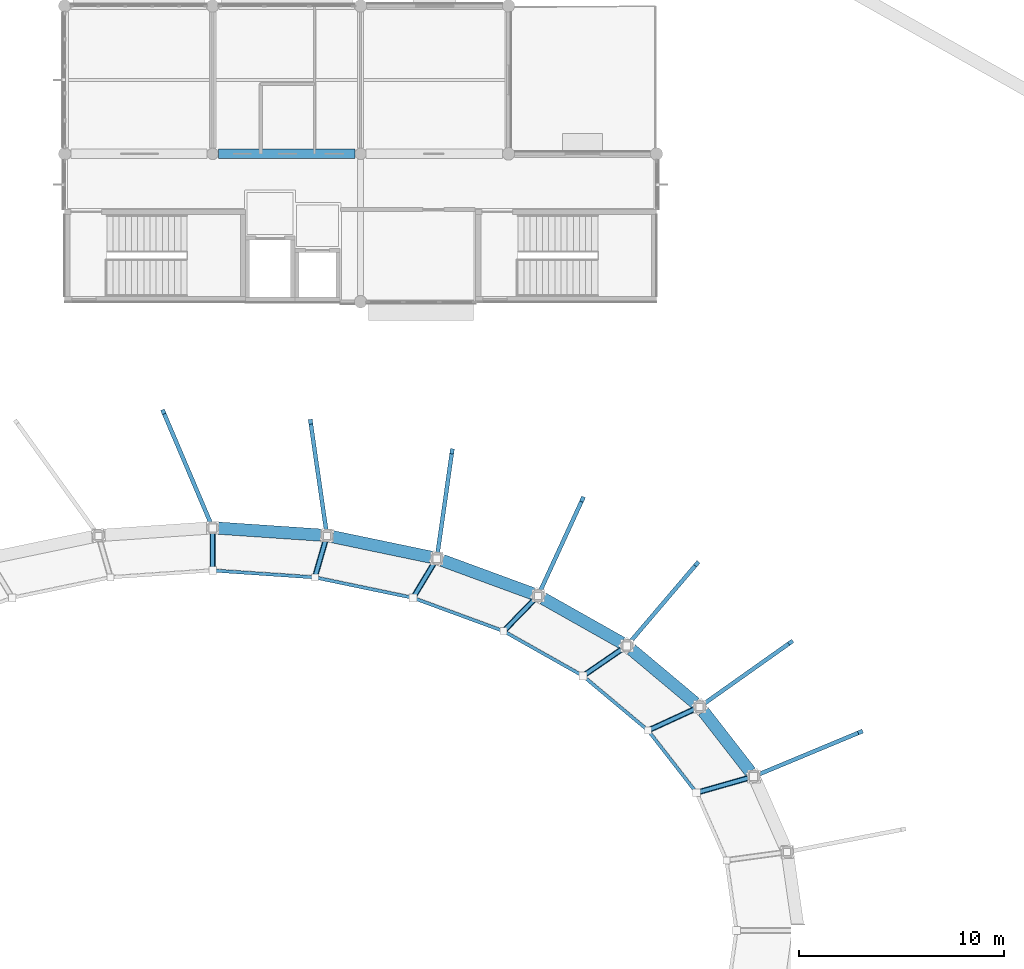
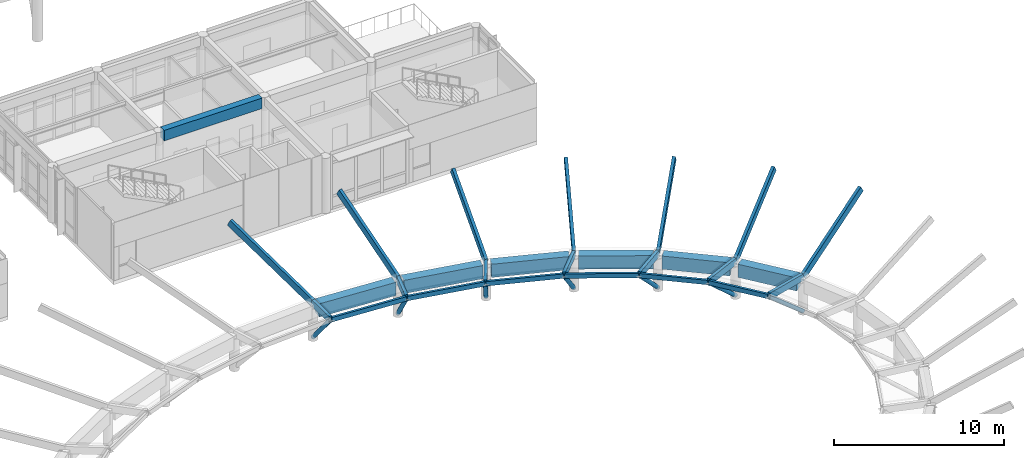
# One storey, part 9 of 37: 27 members, 7 beams.
"""IFC4 building model written with IfcOpenShell, lengths in metres."""

from ifc_helpers import new_model, si_unit, direction, frame, origin, origin_2d, place, context, subcontext, project, spatial, rectangle, hollow_circle, extrude, material, material_profile, profile_set, type_object, element, save


model = new_model("IFC4")

# Units and contexts
model_context = context("Model", 3, precision=1e-05, world=origin(), true_north=direction((0.0, 1.0)))
body_context = subcontext(model_context, "Body", "Model", "MODEL_VIEW")
ifc_project = project(units=[si_unit("LENGTHUNIT", "METRE"), si_unit("AREAUNIT", "SQUARE_METRE"), si_unit("VOLUMEUNIT", "CUBIC_METRE"), si_unit("PLANEANGLEUNIT", "RADIAN"), si_unit("MASSUNIT", "GRAM", prefix="KILO")], contexts=[model_context])

# Site, building, storey
site_placement = place(None, origin())
site = spatial("IfcSite", under=ifc_project, at=site_placement, CompositionType="ELEMENT")
building_placement = place(site_placement, origin())
building = spatial("IfcBuilding", under=site, at=building_placement, Name="Namkhue Oval Health Centre", CompositionType="ELEMENT")
storey_placement = place(building_placement, frame((0.0, 0.0, 22.199951171875)))
storey = spatial("IfcBuildingStorey", under=building, at=storey_placement, Name="L05", CompositionType="ELEMENT", Elevation=22.199951171875)

# Members
ifc_material_1 = material(Name="Structural steel EN 10025-2 S355JR (TCVN 5575:2024)", Category="steel")
ifc_material_profile_1 = material_profile(ifc_material_1, hollow_circle(Radius=0.136474609375, WallThickness=0.012451171875, at=origin_2d()), Name="CHS 273x12.5")
ifc_profile_set_1 = profile_set([ifc_material_profile_1], Name="Structural steel EN 10025-2 S355JR (TCVN 5575:2024)")
member_type_1 = type_object("IfcMemberType", Name="CANOPY STRUT CHS 273", PredefinedType="STRUT", material=ifc_profile_set_1)
member_1_placement = place(storey_placement, frame((127.127197265625, 66.897216796875, 0.113037109375), z_axis=(-0.726469701976, -0.206888156519, 0.655316002248), x_axis=(0.273895320503, -0.961759509132, 0.0)))
element("IfcMember", 1, at=member_1_placement, inside=storey, type_object=member_type_1, Name="Oval Court Oculus Canopy Strut 3", PredefinedType="STRUT", context=body_context, shape_type="SweptSolid", body=[
    extrude(hollow_circle(Radius=0.136474609375, WallThickness=0.012451171875, at=origin_2d()), origin(), (0.0, 0.0, 1.0), 3.82568359375),
])
member_2_placement = place(storey_placement, frame((124.493408203125, 70.2841796875, 0.113525390625), z_axis=(-0.671831943496, -0.308633456276, 0.673340351803), x_axis=(0.417448702354, -0.908700490207, 0.0)))
element("IfcMember", 2, at=member_2_placement, inside=storey, type_object=member_type_1, Name="Oval Court Oculus Canopy Strut 4", PredefinedType="STRUT", context=body_context, shape_type="SweptSolid", body=[
    extrude(hollow_circle(Radius=0.136474609375, WallThickness=0.012451171875, at=origin_2d()), origin(), (0.0, 0.0, 1.0), 3.72265625),
])
member_3_placement = place(storey_placement, frame((120.94921875, 73.252685546875, 0.114013671875), z_axis=(-0.591133806128, -0.406463876567, 0.696669175649), x_axis=(0.56658503207, -0.824003277563, 0.0)))
element("IfcMember", 3, at=member_3_placement, inside=storey, type_object=member_type_1, Name="Oval Court Oculus Canopy Strut 5", PredefinedType="STRUT", context=body_context, shape_type="SweptSolid", body=[
    extrude(hollow_circle(Radius=0.136474609375, WallThickness=0.012451171875, at=origin_2d()), origin(), (0.0, 0.0, 1.0), 3.59716796875),
])
member_4_placement = place(storey_placement, frame((116.630859375, 75.688720703125, 0.114501953125), z_axis=(-0.481738042184, -0.495749423416, 0.722607063275), x_axis=(0.717168831651, -0.696899466859, 0.0)))
element("IfcMember", 4, at=member_4_placement, inside=storey, type_object=member_type_1, Name="Oval Court Oculus Canopy Strut 6", PredefinedType="STRUT", context=body_context, shape_type="SweptSolid", body=[
    extrude(hollow_circle(Radius=0.136474609375, WallThickness=0.012451171875, at=origin_2d()), origin(), (0.0, 0.0, 1.0), 3.467529296875),
])
member_5_placement = place(storey_placement, frame((111.7041015625, 77.49853515625, 0.114990234375), z_axis=(-0.343057087119, -0.569407784033, 0.747051946293), x_axis=(0.856554142156, -0.516057168883, 0.0)))
element("IfcMember", 5, at=member_5_placement, inside=storey, type_object=member_type_1, Name="Oval Court Oculus Canopy Strut 7", PredefinedType="STRUT", context=body_context, shape_type="SweptSolid", body=[
    extrude(hollow_circle(Radius=0.136474609375, WallThickness=0.012451171875, at=origin_2d()), origin(), (0.0, 0.0, 1.0), 3.353271484375),
])
member_6_placement = place(storey_placement, frame((106.35888671875, 78.613037109375, 0.115234375), z_axis=(-0.179054202465, -0.618862609851, 0.764819366065), x_axis=(0.960601666502, -0.277928836779, 0.0)))
element("IfcMember", 6, at=member_6_placement, inside=storey, type_object=member_type_1, Name="Oval Court Oculus Canopy Strut 8", PredefinedType="STRUT", context=body_context, shape_type="SweptSolid", body=[
    extrude(hollow_circle(Radius=0.136474609375, WallThickness=0.012451171875, at=origin_2d()), origin(), (0.0, 0.0, 1.0), 3.275146484375),
])
member_7_placement = place(storey_placement, frame((100.800048828125, 78.9892578125, 0.115478515625), z_axis=(0.0, -0.636352754336, 0.771398192926), x_axis=(1.0, 0.0, 0.0)))
element("IfcMember", 7, at=member_7_placement, inside=storey, type_object=member_type_1, Name="Oval Court Oculus Canopy Strut 9", PredefinedType="STRUT", context=body_context, shape_type="SweptSolid", body=[
    extrude(hollow_circle(Radius=0.136474609375, WallThickness=0.012451171875, at=origin_2d()), origin(), (0.0, 0.0, 1.0), 3.246826171875),
])
ifc_material_2 = material(Name="Glulam timber GL28h", Category="wood")
ifc_material_profile_2 = material_profile(ifc_material_2, rectangle(XDim=0.199951171875, YDim=0.47998046875, at=origin_2d()), Name="GL28h 200x480")
ifc_profile_set_2 = profile_set([ifc_material_profile_2], Name="Glulam timber GL28h")
member_type_2 = type_object("IfcMemberType", Name="GRIDSHELL ARCH RIB GL28H 200X480", PredefinedType="USERDEFINED", material=ifc_profile_set_2)
member_8_placement = place(storey_placement, frame((132.324951171875, 69.060791015625, 5.800048828125), z_axis=(-0.80200804084, -0.334122797853, -0.495121256243), x_axis=(0.38456907546, -0.923096217195, 0.0)))
element("IfcMember", 8, at=member_8_placement, inside=storey, type_object=member_type_2, Name="Gridshell Glulam Arch Rib K5-3", ObjectType="ARCH_SEGMENT", PredefinedType="USERDEFINED", context=body_context, shape_type="SweptSolid", body=[
    extrude(rectangle(XDim=0.199951171875, YDim=0.47998046875, at=origin_2d()), origin(), (0.0, 0.0, 1.0), 6.462890625),
])
member_9_placement = place(storey_placement, frame((127.1416015625, 66.9013671875, 2.60009765625), z_axis=(-0.961663782937, -0.273884669107, 0.013782474911), x_axis=(0.273910685916, -0.96175513315, 0.0)))
element("IfcMember", 9, at=member_9_placement, inside=storey, type_object=member_type_2, Name="Gridshell Glulam Arch Rib K6-3", ObjectType="ARCH_SEGMENT", PredefinedType="USERDEFINED", context=body_context, shape_type="SweptSolid", body=[
    extrude(rectangle(XDim=0.199951171875, YDim=0.47998046875, at=origin_2d()), origin(), (0.0, 0.0, 1.0), 2.905029296875),
])
member_10_placement = place(storey_placement, frame((128.931640625, 73.42529296875, 5.800048828125), z_axis=(-0.702731871339, -0.497891191782, -0.508204956833), x_axis=(0.578112270932, -0.815957230618, 0.0)))
element("IfcMember", 10, at=member_10_placement, inside=storey, type_object=member_type_2, Name="Gridshell Glulam Arch Rib K5-4", ObjectType="ARCH_SEGMENT", PredefinedType="USERDEFINED", context=body_context, shape_type="SweptSolid", body=[
    extrude(rectangle(XDim=0.199951171875, YDim=0.47998046875, at=origin_2d()), origin(), (0.0, 0.0, 1.0), 6.296630859375),
])
member_11_placement = place(storey_placement, frame((124.5068359375, 70.290283203125, 2.60009765625), z_axis=(-0.908614289057, -0.417385590982, 0.014468661366), x_axis=(0.417429286044, -0.908709409632, 0.0)))
element("IfcMember", 11, at=member_11_placement, inside=storey, type_object=member_type_2, Name="Gridshell Glulam Arch Rib K6-4", ObjectType="ARCH_SEGMENT", PredefinedType="USERDEFINED", context=body_context, shape_type="SweptSolid", body=[
    extrude(rectangle(XDim=0.199951171875, YDim=0.47998046875, at=origin_2d()), origin(), (0.0, 0.0, 1.0), 2.767333984375),
])
member_12_placement = place(storey_placement, frame((124.364990234375, 77.2509765625, 5.800048828125), z_axis=(-0.554041394979, -0.649447935131, -0.520821958258), x_axis=(0.76077581671, -0.649014758468, 0.0)))
element("IfcMember", 12, at=member_12_placement, inside=storey, type_object=member_type_2, Name="Gridshell Glulam Arch Rib K5-5", ObjectType="ARCH_SEGMENT", PredefinedType="USERDEFINED", context=body_context, shape_type="SweptSolid", body=[
    extrude(rectangle(XDim=0.199951171875, YDim=0.47998046875, at=origin_2d()), origin(), (0.0, 0.0, 1.0), 6.14404296875),
])
member_13_placement = place(storey_placement, frame((120.9609375, 73.2607421875, 2.60009765625), z_axis=(-0.823905414575, -0.566517287802, 0.015428235669), x_axis=(0.566584724025, -0.824003489374, 0.0)))
element("IfcMember", 13, at=member_13_placement, inside=storey, type_object=member_type_2, Name="Gridshell Glulam Arch Rib K6-5", ObjectType="ARCH_SEGMENT", PredefinedType="USERDEFINED", context=body_context, shape_type="SweptSolid", body=[
    extrude(rectangle(XDim=0.199951171875, YDim=0.47998046875, at=origin_2d()), origin(), (0.0, 0.0, 1.0), 2.59521484375),
])
member_14_placement = place(storey_placement, frame((118.800537109375, 80.390380859375, 5.800048828125), z_axis=(-0.3555128309, -0.772179654637, -0.52663954279), x_axis=(0.908351867032, -0.418206749896, 0.0)))
element("IfcMember", 14, at=member_14_placement, inside=storey, type_object=member_type_2, Name="Gridshell Glulam Arch Rib K5-6", ObjectType="ARCH_SEGMENT", PredefinedType="USERDEFINED", context=body_context, shape_type="SweptSolid", body=[
    extrude(rectangle(XDim=0.199951171875, YDim=0.47998046875, at=origin_2d()), origin(), (0.0, 0.0, 1.0), 6.076171875),
])
member_15_placement = place(storey_placement, frame((116.640380859375, 75.698486328125, 2.60009765625), z_axis=(-0.696810151592, -0.717063316876, 0.016607595533), x_axis=(0.717162224752, -0.696906265855, 0.0)))
element("IfcMember", 15, at=member_15_placement, inside=storey, type_object=member_type_2, Name="Gridshell Glulam Arch Rib K6-6", ObjectType="ARCH_SEGMENT", PredefinedType="USERDEFINED", context=body_context, shape_type="SweptSolid", body=[
    extrude(rectangle(XDim=0.199951171875, YDim=0.47998046875, at=origin_2d()), origin(), (0.0, 0.0, 1.0), 2.410888671875),
])
member_16_placement = place(storey_placement, frame((112.4521484375, 82.723388671875, 5.800048828125), z_axis=(-0.120247236915, -0.846088877868, -0.519301658732), x_axis=(0.990051231642, -0.140707351348, 0.0)))
element("IfcMember", 16, at=member_16_placement, inside=storey, type_object=member_type_2, Name="Gridshell Glulam Arch Rib K5-7", ObjectType="ARCH_SEGMENT", PredefinedType="USERDEFINED", context=body_context, shape_type="SweptSolid", body=[
    extrude(rectangle(XDim=0.199951171875, YDim=0.47998046875, at=origin_2d()), origin(), (0.0, 0.0, 1.0), 6.162109375),
])
member_17_placement = place(storey_placement, frame((111.711181640625, 77.509765625, 2.60009765625), z_axis=(-0.515997754344, -0.856403867811, 0.017853086859), x_axis=(0.856540382409, -0.516080006688, 0.0)))
element("IfcMember", 17, at=member_17_placement, inside=storey, type_object=member_type_2, Name="Gridshell Glulam Arch Rib K6-7", ObjectType="ARCH_SEGMENT", PredefinedType="USERDEFINED", context=body_context, shape_type="SweptSolid", body=[
    extrude(rectangle(XDim=0.199951171875, YDim=0.47998046875, at=origin_2d()), origin(), (0.0, 0.0, 1.0), 2.24267578125),
])
member_18_placement = place(storey_placement, frame((105.563720703125, 84.159912109375, 5.800048828125), z_axis=(0.123949382806, -0.859043872888, -0.496669079927), x_axis=(0.989750309316, 0.142808701446, 0.0)))
element("IfcMember", 18, at=member_18_placement, inside=storey, type_object=member_type_2, Name="Gridshell Glulam Arch Rib K5-8", ObjectType="ARCH_SEGMENT", PredefinedType="USERDEFINED", context=body_context, shape_type="SweptSolid", body=[
    extrude(rectangle(XDim=0.199951171875, YDim=0.47998046875, at=origin_2d()), origin(), (0.0, 0.0, 1.0), 6.44287109375),
])
member_19_placement = place(storey_placement, frame((106.3623046875, 78.625244140625, 2.60009765625), z_axis=(-0.277829915568, -0.960445138587, 0.018859315461), x_axis=(0.960615986739, -0.27787933716, 0.0)))
element("IfcMember", 19, at=member_19_placement, inside=storey, type_object=member_type_2, Name="Gridshell Glulam Arch Rib K6-8", ObjectType="ARCH_SEGMENT", PredefinedType="USERDEFINED", context=body_context, shape_type="SweptSolid", body=[
    extrude(rectangle(XDim=0.199951171875, YDim=0.47998046875, at=origin_2d()), origin(), (0.0, 0.0, 1.0), 2.123046875),
])
member_20_placement = place(storey_placement, frame((98.39990234375, 84.64501953125, 5.800048828125), z_axis=(0.346993495203, -0.815828262448, -0.462622697755), x_axis=(0.920222679638, 0.391395222096, 0.0)))
element("IfcMember", 20, at=member_20_placement, inside=storey, type_object=member_type_2, Name="Gridshell Glulam Arch Rib K5-9", ObjectType="ARCH_SEGMENT", PredefinedType="USERDEFINED", context=body_context, shape_type="SweptSolid", body=[
    extrude(rectangle(XDim=0.199951171875, YDim=0.47998046875, at=origin_2d()), origin(), (0.0, 0.0, 1.0), 6.9169921875),
])
member_21_placement = place(storey_placement, frame((100.800048828125, 79.001953125, 2.60009765625), z_axis=(0.0, -0.999814575298, 0.01925655788), x_axis=(1.0, 0.0, 0.0)))
element("IfcMember", 21, at=member_21_placement, inside=storey, type_object=member_type_2, Name="Gridshell Glulam Arch Rib K6-9", ObjectType="ARCH_SEGMENT", PredefinedType="USERDEFINED", context=body_context, shape_type="SweptSolid", body=[
    extrude(rectangle(XDim=0.199951171875, YDim=0.47998046875, at=origin_2d()), origin(), (0.0, 0.0, 1.0), 2.079345703125),
])
ifc_material_profile_3 = material_profile(ifc_material_2, rectangle(XDim=0.159912109375, YDim=0.320068359375, at=origin_2d()), Name="GL28h 160x320")
ifc_profile_set_3 = profile_set([ifc_material_profile_3], Name="Glulam timber GL28h")
member_type_3 = type_object("IfcMemberType", Name="GRIDSHELL OCULUS PURLIN GL28H 160X320", PredefinedType="PURLIN", material=ifc_profile_set_3)
member_22_placement = place(storey_placement, frame((124.3232421875, 66.13720703125, 2.64013671875), z_axis=(-0.613747171611, 0.789502634156, 0.0), x_axis=(-0.789502634156, -0.613747171611, 0.0)))
element("IfcMember", 22, at=member_22_placement, inside=storey, type_object=member_type_3, Name="Gridshell Hoop Purlin K7-3", PredefinedType="PURLIN", context=body_context, shape_type="SweptSolid", body=[
    extrude(rectangle(XDim=0.159912109375, YDim=0.320068359375, at=origin_2d()), origin(), (0.0, 0.0, 1.0), 3.757568359375),
])
member_23_placement = place(storey_placement, frame((121.9619140625, 69.160888671875, 2.64013671875), z_axis=(-0.766560531818, 0.642172057208, 0.0), x_axis=(-0.642172057208, -0.766560531818, 0.0)))
element("IfcMember", 23, at=member_23_placement, inside=storey, type_object=member_type_3, Name="Gridshell Hoop Purlin K7-4", PredefinedType="PURLIN", context=body_context, shape_type="SweptSolid", body=[
    extrude(rectangle(XDim=0.159912109375, YDim=0.320068359375, at=origin_2d()), origin(), (0.0, 0.0, 1.0), 4.054931640625),
])
member_24_placement = place(storey_placement, frame((118.787841796875, 71.810302734375, 2.64013671875), z_axis=(-0.870938479787, 0.491392067932, 0.0), x_axis=(-0.491392067932, -0.870938479787, 0.0)))
element("IfcMember", 24, at=member_24_placement, inside=storey, type_object=member_type_3, Name="Gridshell Hoop Purlin K7-5", PredefinedType="PURLIN", context=body_context, shape_type="SweptSolid", body=[
    extrude(rectangle(XDim=0.159912109375, YDim=0.320068359375, at=origin_2d()), origin(), (0.0, 0.0, 1.0), 4.354736328125),
])
member_25_placement = place(storey_placement, frame((114.9228515625, 73.983642578125, 2.64013671875), z_axis=(-0.938643546904, 0.344888810859, 0.0), x_axis=(-0.344888810859, -0.938643546904, 0.0)))
element("IfcMember", 25, at=member_25_placement, inside=storey, type_object=member_type_3, Name="Gridshell Hoop Purlin K7-6", PredefinedType="PURLIN", context=body_context, shape_type="SweptSolid", body=[
    extrude(rectangle(XDim=0.159912109375, YDim=0.320068359375, at=origin_2d()), origin(), (0.0, 0.0, 1.0), 4.61474609375),
])
member_26_placement = place(storey_placement, frame((110.5146484375, 75.597412109375, 2.64013671875), z_axis=(-0.978943199485, 0.204132829751, 0.0), x_axis=(-0.204132829751, -0.978943199485, 0.0)))
element("IfcMember", 26, at=member_26_placement, inside=storey, type_object=member_type_3, Name="Gridshell Hoop Purlin K7-7", PredefinedType="PURLIN", context=body_context, shape_type="SweptSolid", body=[
    extrude(rectangle(XDim=0.159912109375, YDim=0.320068359375, at=origin_2d()), origin(), (0.0, 0.0, 1.0), 4.80419921875),
])
member_27_placement = place(storey_placement, frame((105.732666015625, 76.589111328125, 2.64013671875), z_axis=(-0.997715449904, 0.067556502446, 0.0), x_axis=(-0.067556502446, -0.997715449904, 0.0)))
element("IfcMember", 27, at=member_27_placement, inside=storey, type_object=member_type_3, Name="Gridshell Hoop Purlin K7-8", PredefinedType="PURLIN", context=body_context, shape_type="SweptSolid", body=[
    extrude(rectangle(XDim=0.159912109375, YDim=0.320068359375, at=origin_2d()), origin(), (0.0, 0.0, 1.0), 4.904052734375),
])

# Beams
ifc_material_3 = material(Name="Reinforced concrete C35/45 (TCVN B40)", Category="concrete")
ifc_material_profile_4 = material_profile(ifc_material_3, rectangle(XDim=0.449951171875, YDim=0.75, at=origin_2d()), Name="RC 450x750")
ifc_profile_set_4 = profile_set([ifc_material_profile_4], Name="Reinforced concrete C35/45 (TCVN B40)")
beam_type_1 = type_object("IfcBeamType", Name="PRIMARY GIRDER RC 450X750", PredefinedType="USERDEFINED", material=ifc_profile_set_4)
beam_1_placement = place(storey_placement, frame((101.074951171875, 97.199951171875, 3.594970703125), z_axis=(1.0, 0.0, 0.0), x_axis=(0.0, 1.0, 0.0)))
element("IfcBeam", 28, at=beam_1_placement, inside=storey, type_object=beam_type_1, Name="Volume V3 RF Girder O/15-16", ObjectType="GIRDER", PredefinedType="USERDEFINED", context=body_context, shape_type="SweptSolid", body=[
    extrude(rectangle(XDim=0.449951171875, YDim=0.75, at=origin_2d()), origin(), (0.0, 0.0, 1.0), 6.650146484375),
])
ifc_material_profile_5 = material_profile(ifc_material_3, rectangle(XDim=0.60009765625, YDim=0.949951171875, at=origin_2d()), Name="RC 600x950")
ifc_profile_set_5 = profile_set([ifc_material_profile_5], Name="Reinforced concrete C35/45 (TCVN B40)")
beam_type_2 = type_object("IfcBeamType", Name="RING GIRDER RC 600X950", PredefinedType="USERDEFINED", material=ifc_profile_set_5)
beam_2_placement = place(storey_placement, frame((126.9697265625, 67.122314453125, 2.125), z_axis=(-0.613786641977, 0.78947194892, 0.0), x_axis=(-0.78947194892, -0.613786641977, 0.0)))
element("IfcBeam", 29, at=beam_2_placement, inside=storey, type_object=beam_type_2, Name="Gridshell IR Concrete Ring Girder 3", ObjectType="GIRDER", PredefinedType="USERDEFINED", context=body_context, shape_type="SweptSolid", body=[
    extrude(rectangle(XDim=0.60009765625, YDim=0.949951171875, at=origin_2d()), origin(), (0.0, 0.0, 1.0), 3.732666015625),
])
beam_3_placement = place(storey_placement, frame((124.292236328125, 70.47021484375, 2.125), z_axis=(-0.76657960331, 0.642149290889, 0.0), x_axis=(-0.642149290889, -0.76657960331, 0.0)))
element("IfcBeam", 30, at=beam_3_placement, inside=storey, type_object=beam_type_2, Name="Gridshell IR Concrete Ring Girder 4", ObjectType="GIRDER", PredefinedType="USERDEFINED", context=body_context, shape_type="SweptSolid", body=[
    extrude(rectangle(XDim=0.60009765625, YDim=0.949951171875, at=origin_2d()), origin(), (0.0, 0.0, 1.0), 4.0654296875),
])
beam_4_placement = place(storey_placement, frame((120.71728515625, 73.398193359375, 2.125), z_axis=(-0.870940726299, 0.491388086214, 0.0), x_axis=(-0.491388086214, -0.870940726299, 0.0)))
element("IfcBeam", 31, at=beam_4_placement, inside=storey, type_object=beam_type_2, Name="Gridshell IR Concrete Ring Girder 5", ObjectType="GIRDER", PredefinedType="USERDEFINED", context=body_context, shape_type="SweptSolid", body=[
    extrude(rectangle(XDim=0.60009765625, YDim=0.949951171875, at=origin_2d()), origin(), (0.0, 0.0, 1.0), 4.40087890625),
])
beam_5_placement = place(storey_placement, frame((116.377685546875, 75.794921875, 2.125), z_axis=(-0.938622660706, 0.344945649064, 0.0), x_axis=(-0.344945649064, -0.938622660706, 0.0)))
element("IfcBeam", 32, at=beam_5_placement, inside=storey, type_object=beam_type_2, Name="Gridshell IR Concrete Ring Girder 6", ObjectType="GIRDER", PredefinedType="USERDEFINED", context=body_context, shape_type="SweptSolid", body=[
    extrude(rectangle(XDim=0.60009765625, YDim=0.949951171875, at=origin_2d()), origin(), (0.0, 0.0, 1.0), 4.69189453125),
])
beam_6_placement = place(storey_placement, frame((111.43701171875, 77.567138671875, 2.125), z_axis=(-0.978945198635, 0.204123242354, 0.0), x_axis=(-0.204123242354, -0.978945198635, 0.0)))
element("IfcBeam", 33, at=beam_6_placement, inside=storey, type_object=beam_type_2, Name="Gridshell IR Concrete Ring Girder 7", ObjectType="GIRDER", PredefinedType="USERDEFINED", context=body_context, shape_type="SweptSolid", body=[
    extrude(rectangle(XDim=0.60009765625, YDim=0.949951171875, at=origin_2d()), origin(), (0.0, 0.0, 1.0), 4.90380859375),
])
beam_7_placement = place(storey_placement, frame((106.0830078125, 78.644287109375, 2.125), z_axis=(-0.997714599605, 0.067569059002, 0.0), x_axis=(-0.067569059002, -0.997714599605, 0.0)))
element("IfcBeam", 34, at=beam_7_placement, inside=storey, type_object=beam_type_2, Name="Gridshell IR Concrete Ring Girder 8", ObjectType="GIRDER", PredefinedType="USERDEFINED", context=body_context, shape_type="SweptSolid", body=[
    extrude(rectangle(XDim=0.60009765625, YDim=0.949951171875, at=origin_2d()), origin(), (0.0, 0.0, 1.0), 5.01513671875),
])

save(model, "model.ifc")
